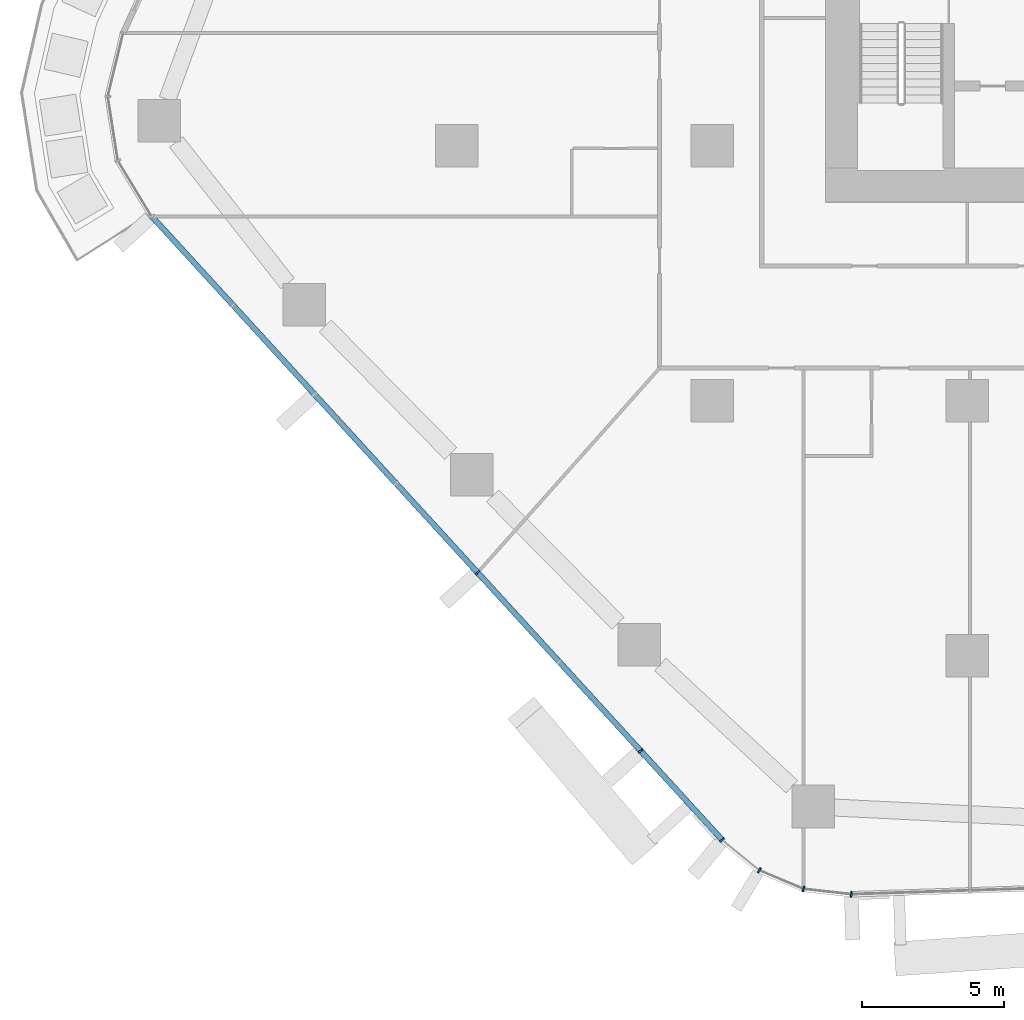
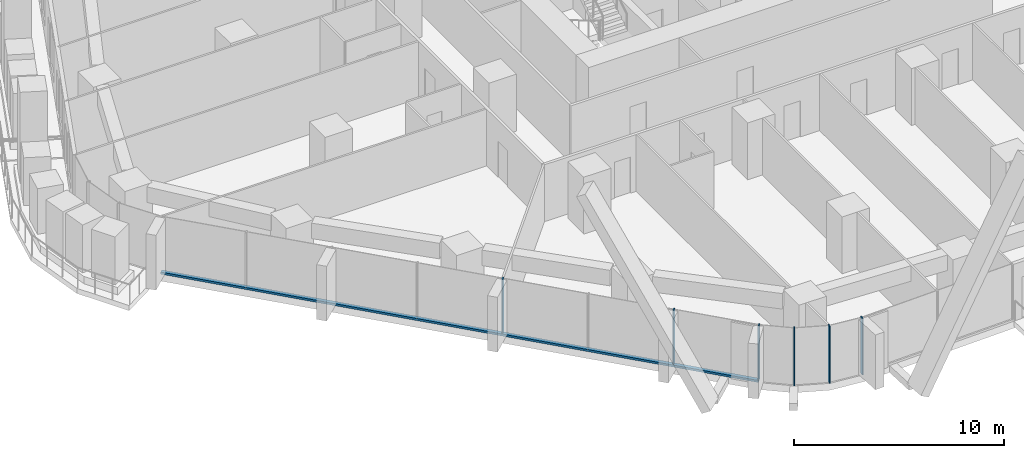
# One storey, part 2 of 27: 7 members, 2 elements without a shape of their own.
"""IFC4 building model written with IfcOpenShell, lengths in metres."""

from ifc_helpers import new_model, si_unit, direction, frame, origin, origin_2d, place, context, subcontext, project, spatial, rectangle, extrude, material, layer, layer_set, material_profile, profile_set, type_object, element, aggregate, save


model = new_model("IFC4")

# Units and contexts
model_context = context("Model", 3, precision=1e-05, world=origin(), true_north=direction((0.0, 1.0)))
body_context = subcontext(model_context, "Body", "Model", "MODEL_VIEW")
ifc_project = project(units=[si_unit("LENGTHUNIT", "METRE"), si_unit("AREAUNIT", "SQUARE_METRE"), si_unit("VOLUMEUNIT", "CUBIC_METRE"), si_unit("PLANEANGLEUNIT", "RADIAN"), si_unit("MASSUNIT", "GRAM", prefix="KILO")], contexts=[model_context])

# Site, building, storey
site_placement = place(None, origin())
site = spatial("IfcSite", under=ifc_project, at=site_placement, CompositionType="ELEMENT")
building_placement = place(site_placement, origin())
building = spatial("IfcBuilding", under=site, at=building_placement, Name="Dongbaek Canopy Tower", CompositionType="ELEMENT")
storey_placement = place(building_placement, frame((0.0, 0.0, 62.5)))
storey = spatial("IfcBuildingStorey", under=building, at=storey_placement, Name="L11", CompositionType="ELEMENT", Elevation=62.5)

# Curtain wall, members
ifc_material_1 = material(Name="Aluminium 6063-T6 pale anodised", Category="aluminium")
ifc_layer = layer(ifc_material_1, 0.199951171875)
ifc_layer_set = layer_set([ifc_layer], Name="CW-1 unitised tower curtain wall")
curtain_wall_type = type_object("IfcCurtainWallType", Name="CW-1 unitised tower curtain wall", PredefinedType="NOTDEFINED", material=ifc_layer_set)
curtain_wall_1_placement = place(storey_placement, origin())
curtain_wall_1 = element("IfcCurtainWall", 1, at=curtain_wall_1_placement, inside=storey, type_object=curtain_wall_type, Name="CW-1 curtain wall F3.1", PredefinedType="NOTDEFINED")
ifc_material_2 = material(Name="Aluminium 6063-T6 pale anodised", Category="aluminium")
ifc_material_profile_1 = material_profile(ifc_material_2, rectangle(XDim=0.199951171875, YDim=0.06005859375, at=origin_2d()), Name="CW-1 mullion 60 x 200")
ifc_profile_set_1 = profile_set([ifc_material_profile_1], Name="Aluminium 6063-T6 pale anodised")
member_type_1 = type_object("IfcMemberType", Name="CW-1 mullion 60 x 200", PredefinedType="MULLION", material=ifc_profile_set_1)
member_1_placement = place(storey_placement, frame((-26.266845703125, -24.064697265625, 0.1201171875), z_axis=(0.0, 0.0, 1.0), x_axis=(-0.737854848702, -0.674959422667, 0.0)))
member_1 = element("IfcMember", 2, at=member_1_placement, type_object=member_type_1, Name="CW-1 mullion F3.1.5", PredefinedType="MULLION", context=body_context, shape_type="SweptSolid", body=[
    extrude(rectangle(XDim=0.199951171875, YDim=0.06005859375, at=origin_2d()), origin(), (0.0, 0.0, 1.0), 3.179931640625),
])
member_2_placement = place(storey_placement, frame((-20.515625, -30.35205078125, 0.1201171875), z_axis=(0.0, 0.0, 1.0), x_axis=(-0.737854848702, -0.674959422667, 0.0)))
member_2 = element("IfcMember", 3, at=member_2_placement, type_object=member_type_1, Name="CW-1 mullion F3.1.7", PredefinedType="MULLION", context=body_context, shape_type="SweptSolid", body=[
    extrude(rectangle(XDim=0.199951171875, YDim=0.06005859375, at=origin_2d()), origin(), (0.0, 0.0, 1.0), 3.179931640625),
])
member_3_placement = place(storey_placement, frame((-17.644775390625, -33.490234375, 0.1201171875), z_axis=(0.0, 0.0, 1.0), x_axis=(-0.737854848702, -0.674959422667, 0.0)))
member_3 = element("IfcMember", 4, at=member_3_placement, type_object=member_type_1, Name="CW-1 mullion F3.1.8", PredefinedType="MULLION", context=body_context, shape_type="SweptSolid", body=[
    extrude(rectangle(XDim=0.199951171875, YDim=0.06005859375, at=origin_2d()), origin(), (0.0, 0.0, 1.0), 3.179931640625),
])

curtain_wall_2_placement = place(storey_placement, origin())
curtain_wall_2 = element("IfcCurtainWall", 5, at=curtain_wall_2_placement, inside=storey, type_object=curtain_wall_type, Name="CW-1 curtain wall K4.1", PredefinedType="NOTDEFINED")
member_4_placement = place(storey_placement, frame((-16.33154296875, -34.565673828125, 0.0), z_axis=(0.0, 0.0, 1.0), x_axis=(-0.516170697464, -0.856485733144, 0.0)))
member_4 = element("IfcMember", 6, at=member_4_placement, type_object=member_type_1, Name="CW-1 mullion K4.1.2", PredefinedType="MULLION", context=body_context, shape_type="SweptSolid", body=[
    extrude(rectangle(XDim=0.199951171875, YDim=0.06005859375, at=origin_2d()), origin(), (0.0, 0.0, 1.0), 3.300048828125),
])
member_5_placement = place(storey_placement, frame((-14.77392578125, -35.2216796875, 0.0), z_axis=(0.0, 0.0, 1.0), x_axis=(-0.25211116994, -0.967698278386, 0.0)))
member_5 = element("IfcMember", 7, at=member_5_placement, type_object=member_type_1, Name="CW-1 mullion K4.1.3", PredefinedType="MULLION", context=body_context, shape_type="SweptSolid", body=[
    extrude(rectangle(XDim=0.199951171875, YDim=0.06005859375, at=origin_2d()), origin(), (0.0, 0.0, 1.0), 3.300048828125),
])
member_6_placement = place(storey_placement, frame((-13.0869140625, -35.409912109375, 0.0), z_axis=(0.0, 0.0, 1.0), x_axis=(-0.110876497913, -0.993834192514, 0.0)))
member_6 = element("IfcMember", 8, at=member_6_placement, type_object=member_type_1, Name="CW-1 mullion K4.1.4", PredefinedType="MULLION", context=body_context, shape_type="SweptSolid", body=[
    extrude(rectangle(XDim=0.199951171875, YDim=0.06005859375, at=origin_2d()), origin(), (0.0, 0.0, 1.0), 3.300048828125),
])
aggregate(curtain_wall_2, [member_4, member_5, member_6])

# Member
ifc_material_3 = material(Name="Aluminium 6063-T6 pale anodised", Category="aluminium")
ifc_material_profile_2 = material_profile(ifc_material_3, rectangle(XDim=0.199951171875, YDim=0.1201171875, at=origin_2d()), Name="CW-1 transom 120 x 200")
ifc_profile_set_2 = profile_set([ifc_material_profile_2], Name="Aluminium 6063-T6 pale anodised")
member_type_2 = type_object("IfcMemberType", Name="CW-1 transom 120 x 200", PredefinedType="USERDEFINED", material=ifc_profile_set_2)
member_7_placement = place(storey_placement, frame((-37.762939453125, -11.49755859375, 0.06005859375), z_axis=(0.674962421781, -0.737852105224, 0.0), x_axis=(0.737852105224, 0.674962421781, 0.0)))
member_7 = element("IfcMember", 9, at=member_7_placement, type_object=member_type_2, Name="CW-1 transom F3.1.1", ObjectType="TRANSOM", PredefinedType="USERDEFINED", context=body_context, shape_type="SweptSolid", body=[
    extrude(rectangle(XDim=0.199951171875, YDim=0.1201171875, at=origin_2d()), origin(), (0.0, 0.0, 1.0), 29.806396484375),
])

aggregate(curtain_wall_1, [member_1, member_2, member_3, member_7])

save(model, "model.ifc")
